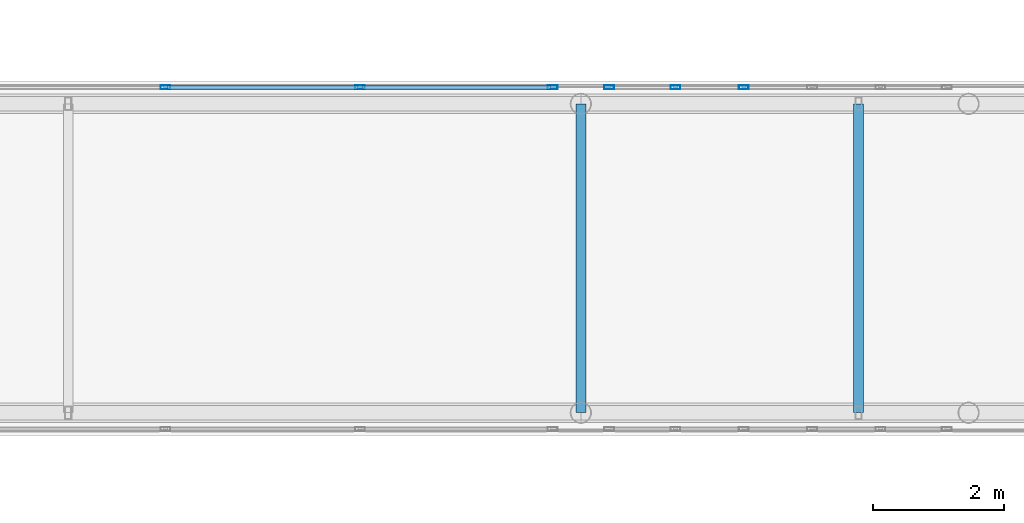
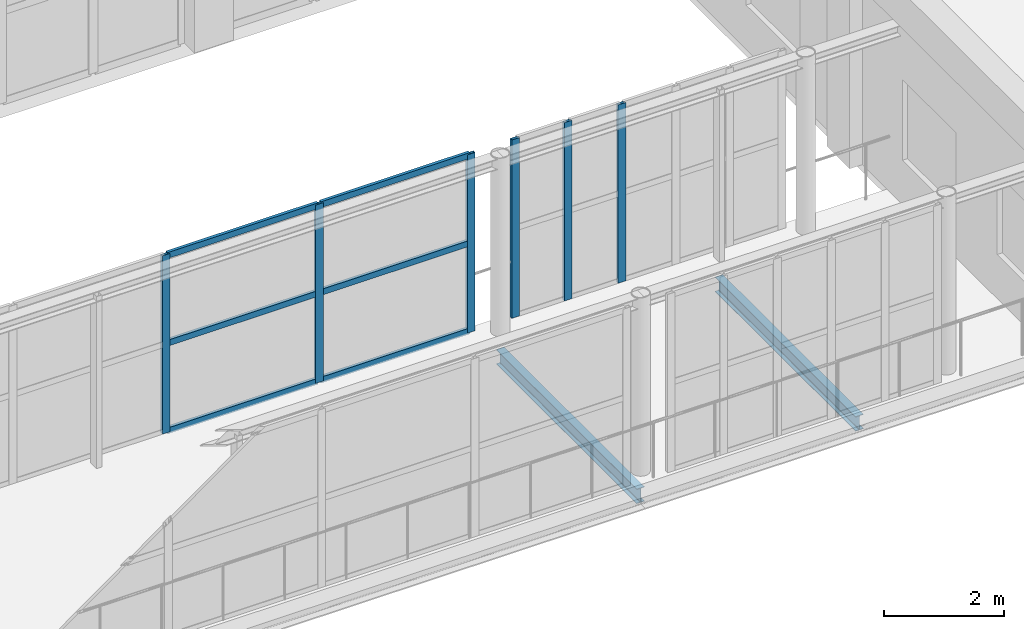
# One storey, part 78 of 167: 12 members, 2 beams, 2 elements without a shape of their own.
"""IFC4 building model written with IfcOpenShell, lengths in metres."""

from ifc_helpers import new_model, si_unit, direction, frame, origin, origin_2d, place, context, subcontext, project, spatial, hollow_rectangle, i_section, extrude, material, layer, layer_set, material_profile, profile_set, type_object, element, aggregate, save


model = new_model("IFC4")

# Units and contexts
model_context = context("Model", 3, precision=1e-05, world=origin(), true_north=direction((0.0, 1.0)))
body_context = subcontext(model_context, "Body", "Model", "MODEL_VIEW")
ifc_project = project(units=[si_unit("LENGTHUNIT", "METRE"), si_unit("AREAUNIT", "SQUARE_METRE"), si_unit("VOLUMEUNIT", "CUBIC_METRE"), si_unit("PLANEANGLEUNIT", "RADIAN"), si_unit("MASSUNIT", "GRAM", prefix="KILO")], contexts=[model_context])

# Site, building, storey
site_placement = place(None, origin())
site = spatial("IfcSite", under=ifc_project, at=site_placement, CompositionType="ELEMENT")
building_placement = place(site_placement, origin())
building = spatial("IfcBuilding", under=site, at=building_placement, Name="Zizhar Promenade General Hospital", CompositionType="ELEMENT")
storey_placement = place(building_placement, frame((0.0, 0.0, 9.60009765625)))
storey = spatial("IfcBuildingStorey", under=building, at=storey_placement, Name="L02", CompositionType="ELEMENT", Elevation=9.60009765625)

# Beams
ifc_material_1 = material(Name="Steel S355", Category="steel")
ifc_material_profile_1 = material_profile(ifc_material_1, i_section(OverallWidth=0.14990234375, OverallDepth=0.300048828125, WebThickness=0.007080078125, FlangeThickness=0.0107421875, FilletRadius=0.014892578125, at=origin_2d()))
ifc_profile_set_1 = profile_set([ifc_material_profile_1], Name="Steel S355")
beam_type = type_object("IfcBeamType", Name="BM-STL-IPE300", PredefinedType="JOIST", material=ifc_profile_set_1)
for number, where, z_axis, x_axis, name in (
    (1, (117.0, 77.75, -0.5), (0.0, 1.0, 0.0), (-1.0, 0.0, 0.0), "SB-2 Transverse Deck Beam 117.0"),
    (2, (121.22509765625, 77.75, -0.5), (0.0, 1.0, 0.0), (-1.0, 0.0, 0.0), "SB-2 Transverse Deck Beam 121.2"),
):
    element("IfcBeam", number, at=place(storey_placement, frame(where, z_axis=z_axis, x_axis=x_axis)), inside=storey, type_object=beam_type, Name=name, PredefinedType="JOIST", context=body_context, shape_type="SweptSolid", body=[
        extrude(i_section(OverallWidth=0.14990234375, OverallDepth=0.300048828125, WebThickness=0.007080078125, FlangeThickness=0.0107421875, FilletRadius=0.014892578125, at=origin_2d()), origin(), (0.0, 0.0, 1.0), 4.699951171875),
    ])

# Curtain wall, members
ifc_material_2 = material(Name="Anodised aluminium 6063-T6 and low-E glass", Category="aluminium")
ifc_layer = layer(ifc_material_2, 0.159912109375)
ifc_layer_set = layer_set([ifc_layer], Name="Anodised aluminium 6063-T6 and low-E glass")
curtain_wall_type = type_object("IfcCurtainWallType", Name="CW-SKY-GLZ", PredefinedType="NOTDEFINED", material=ifc_layer_set)
curtain_wall_1_placement = place(storey_placement, origin())
curtain_wall_1 = element("IfcCurtainWall", 3, at=curtain_wall_1_placement, inside=storey, type_object=curtain_wall_type, Name="Courtyard Surgical-Clinic Skybridge Level L02 North Glazing 3", PredefinedType="NOTDEFINED")
ifc_material_3 = material(Name="Anodised aluminium 6063-T6", Category="aluminium")
ifc_material_profile_2 = material_profile(ifc_material_3, hollow_rectangle(XDim=0.06005859375, YDim=0.14990234375, WallThickness=0.00390625, at=origin_2d()))
ifc_profile_set_2 = profile_set([ifc_material_profile_2], Name="Anodised aluminium 6063-T6")
member_type_1 = type_object("IfcMemberType", Name="CWM-ALU-150x60", PredefinedType="MULLION", material=ifc_profile_set_2)
member_1_placement = place(storey_placement, frame((110.679931640625, 82.699951171875, 0.0), z_axis=(0.0, 0.0, 1.0), x_axis=(0.0, 1.0, 0.0)))
member_1 = element("IfcMember", 4, at=member_1_placement, type_object=member_type_1, Name="CW-15 mullion 4", PredefinedType="MULLION", context=body_context, shape_type="SweptSolid", body=[
    extrude(hollow_rectangle(XDim=0.06005859375, YDim=0.14990234375, WallThickness=0.00390625, at=origin_2d()), origin(), (0.0, 0.0, 1.0), 3.639892578125),
])
member_2_placement = place(storey_placement, frame((113.639892578125, 82.699951171875, 0.0), z_axis=(0.0, 0.0, 1.0), x_axis=(0.0, 1.0, 0.0)))
member_2 = element("IfcMember", 5, at=member_2_placement, type_object=member_type_1, Name="CW-15 mullion 5", PredefinedType="MULLION", context=body_context, shape_type="SweptSolid", body=[
    extrude(hollow_rectangle(XDim=0.06005859375, YDim=0.14990234375, WallThickness=0.00390625, at=origin_2d()), origin(), (0.0, 0.0, 1.0), 3.639892578125),
])
member_3_placement = place(storey_placement, frame((116.570068359375, 82.699951171875, 0.0), z_axis=(0.0, 0.0, 1.0), x_axis=(0.0, 1.0, 0.0)))
member_3 = element("IfcMember", 6, at=member_3_placement, type_object=member_type_1, Name="CW-15 mullion 6", PredefinedType="MULLION", context=body_context, shape_type="SweptSolid", body=[
    extrude(hollow_rectangle(XDim=0.06005859375, YDim=0.14990234375, WallThickness=0.00390625, at=origin_2d()), origin(), (0.0, 0.0, 1.0), 3.639892578125),
])

curtain_wall_2_placement = place(storey_placement, origin())
curtain_wall_2 = element("IfcCurtainWall", 7, at=curtain_wall_2_placement, inside=storey, type_object=curtain_wall_type, Name="Courtyard Surgical-Clinic Skybridge Level L02 North Glazing 4", PredefinedType="NOTDEFINED")
member_4_placement = place(storey_placement, frame((117.429931640625, 82.699951171875, 0.0), z_axis=(0.0, 0.0, 1.0), x_axis=(0.0, 1.0, 0.0)))
member_4 = element("IfcMember", 8, at=member_4_placement, type_object=member_type_1, Name="CW-15 mullion 1", PredefinedType="MULLION", context=body_context, shape_type="SweptSolid", body=[
    extrude(hollow_rectangle(XDim=0.06005859375, YDim=0.14990234375, WallThickness=0.00390625, at=origin_2d()), origin(), (0.0, 0.0, 1.0), 3.639892578125),
])
member_5_placement = place(storey_placement, frame((118.43994140625, 82.699951171875, 0.0), z_axis=(0.0, 0.0, 1.0), x_axis=(0.0, 1.0, 0.0)))
member_5 = element("IfcMember", 9, at=member_5_placement, type_object=member_type_1, Name="CW-15 mullion 2", PredefinedType="MULLION", context=body_context, shape_type="SweptSolid", body=[
    extrude(hollow_rectangle(XDim=0.06005859375, YDim=0.14990234375, WallThickness=0.00390625, at=origin_2d()), origin(), (0.0, 0.0, 1.0), 3.639892578125),
])
member_6_placement = place(storey_placement, frame((119.47998046875, 82.699951171875, 0.0), z_axis=(0.0, 0.0, 1.0), x_axis=(0.0, 1.0, 0.0)))
member_6 = element("IfcMember", 10, at=member_6_placement, type_object=member_type_1, Name="CW-15 mullion 3", PredefinedType="MULLION", context=body_context, shape_type="SweptSolid", body=[
    extrude(hollow_rectangle(XDim=0.06005859375, YDim=0.14990234375, WallThickness=0.00390625, at=origin_2d()), origin(), (0.0, 0.0, 1.0), 3.639892578125),
])
aggregate(curtain_wall_2, [member_4, member_5, member_6])

# Member
ifc_material_4 = material(Name="Anodised aluminium 6063-T6", Category="aluminium")
ifc_material_profile_3 = material_profile(ifc_material_4, hollow_rectangle(XDim=0.06005859375, YDim=0.1201171875, WallThickness=0.00390625, at=origin_2d()))
ifc_profile_set_3 = profile_set([ifc_material_profile_3], Name="Anodised aluminium 6063-T6")
member_type_2 = type_object("IfcMemberType", Name="CWT-ALU-120x60", PredefinedType="USERDEFINED", material=ifc_profile_set_3)
member_7_placement = place(storey_placement, frame((110.7099609375, 82.699951171875, 0.02978515625), z_axis=(1.0, 0.0, 0.0), x_axis=(0.0, 1.0, 0.0)))
member_7 = element("IfcMember", 11, at=member_7_placement, type_object=member_type_2, Name="CW-15 transom 4.1", ObjectType="TRANSOM", PredefinedType="USERDEFINED", context=body_context, shape_type="SweptSolid", body=[
    extrude(hollow_rectangle(XDim=0.06005859375, YDim=0.1201171875, WallThickness=0.00390625, at=origin_2d()), origin(), (0.0, 0.0, 1.0), 2.900146484375),
])

member_8_placement = place(storey_placement, frame((110.7099609375, 82.699951171875, 1.81982421875), z_axis=(1.0, 0.0, 0.0), x_axis=(0.0, 1.0, 0.0)))
member_8 = element("IfcMember", 12, at=member_8_placement, type_object=member_type_2, Name="CW-15 transom 4.2", ObjectType="TRANSOM", PredefinedType="USERDEFINED", context=body_context, shape_type="SweptSolid", body=[
    extrude(hollow_rectangle(XDim=0.06005859375, YDim=0.1201171875, WallThickness=0.00390625, at=origin_2d()), origin(), (0.0, 0.0, 1.0), 2.900146484375),
])

member_9_placement = place(storey_placement, frame((110.7099609375, 82.699951171875, 3.60986328125), z_axis=(1.0, 0.0, 0.0), x_axis=(0.0, 1.0, 0.0)))
member_9 = element("IfcMember", 13, at=member_9_placement, type_object=member_type_2, Name="CW-15 transom 4.3", ObjectType="TRANSOM", PredefinedType="USERDEFINED", context=body_context, shape_type="SweptSolid", body=[
    extrude(hollow_rectangle(XDim=0.06005859375, YDim=0.1201171875, WallThickness=0.00390625, at=origin_2d()), origin(), (0.0, 0.0, 1.0), 2.900146484375),
])

member_10_placement = place(storey_placement, frame((113.669921875, 82.699951171875, 0.02978515625), z_axis=(1.0, 0.0, 0.0), x_axis=(0.0, 1.0, 0.0)))
member_10 = element("IfcMember", 14, at=member_10_placement, type_object=member_type_2, Name="CW-15 transom 5.1", ObjectType="TRANSOM", PredefinedType="USERDEFINED", context=body_context, shape_type="SweptSolid", body=[
    extrude(hollow_rectangle(XDim=0.06005859375, YDim=0.1201171875, WallThickness=0.00390625, at=origin_2d()), origin(), (0.0, 0.0, 1.0), 2.8701171875),
])

member_11_placement = place(storey_placement, frame((113.669921875, 82.699951171875, 1.81982421875), z_axis=(1.0, 0.0, 0.0), x_axis=(0.0, 1.0, 0.0)))
member_11 = element("IfcMember", 15, at=member_11_placement, type_object=member_type_2, Name="CW-15 transom 5.2", ObjectType="TRANSOM", PredefinedType="USERDEFINED", context=body_context, shape_type="SweptSolid", body=[
    extrude(hollow_rectangle(XDim=0.06005859375, YDim=0.1201171875, WallThickness=0.00390625, at=origin_2d()), origin(), (0.0, 0.0, 1.0), 2.8701171875),
])

member_12_placement = place(storey_placement, frame((113.669921875, 82.699951171875, 3.60986328125), z_axis=(1.0, 0.0, 0.0), x_axis=(0.0, 1.0, 0.0)))
member_12 = element("IfcMember", 16, at=member_12_placement, type_object=member_type_2, Name="CW-15 transom 5.3", ObjectType="TRANSOM", PredefinedType="USERDEFINED", context=body_context, shape_type="SweptSolid", body=[
    extrude(hollow_rectangle(XDim=0.06005859375, YDim=0.1201171875, WallThickness=0.00390625, at=origin_2d()), origin(), (0.0, 0.0, 1.0), 2.8701171875),
])

aggregate(curtain_wall_1, [member_1, member_2, member_3, member_7, member_8, member_9, member_10, member_11, member_12])

save(model, "model.ifc")
